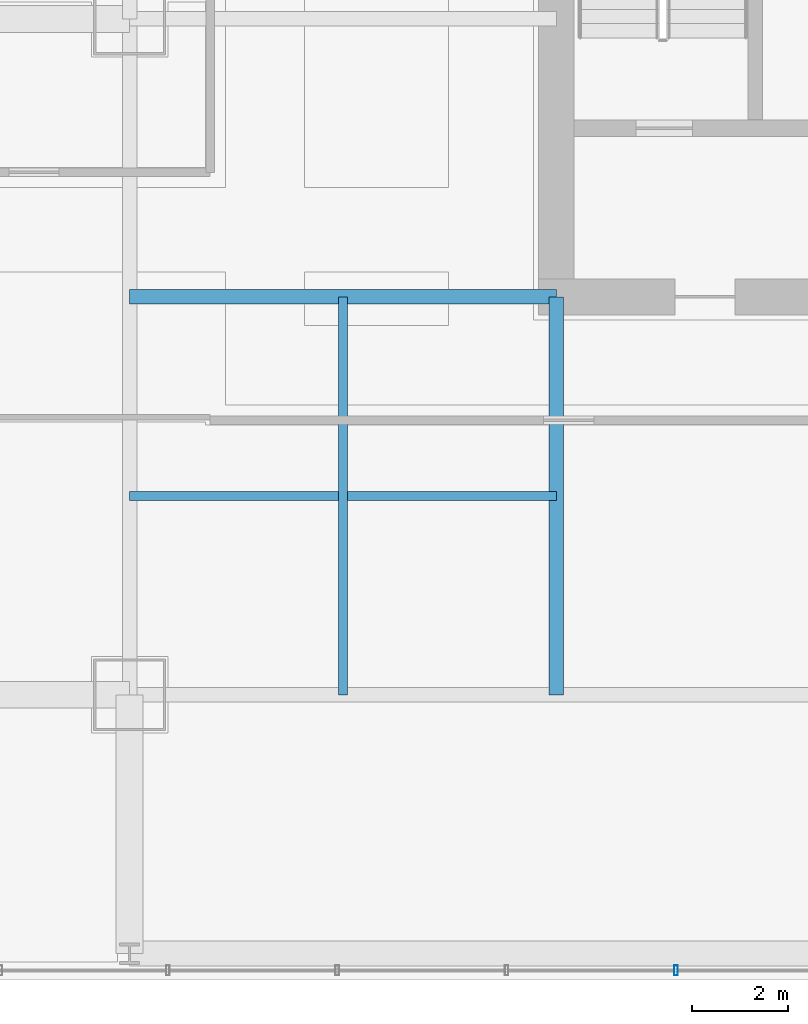
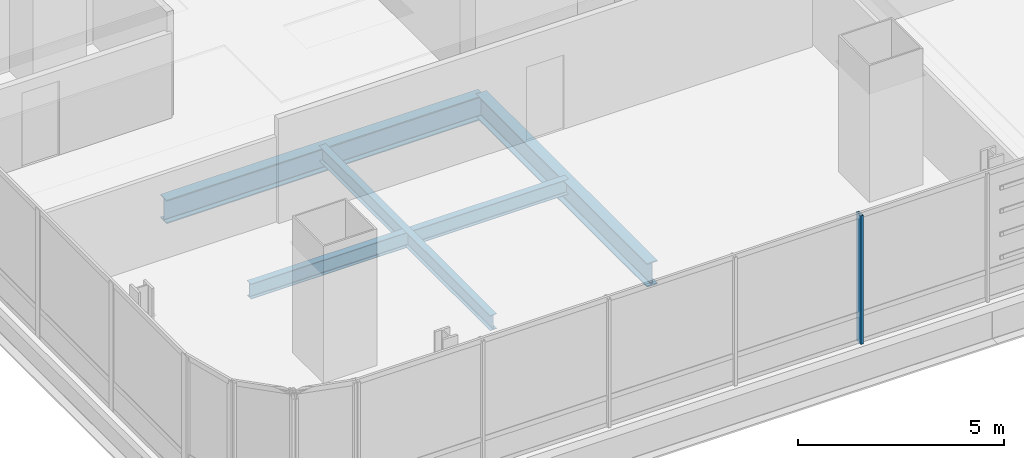
# One storey, part 5 of 36: 4 beams, 1 member, 1 element without a shape of its own.
"""IFC4 building model written with IfcOpenShell, lengths in metres."""

from ifc_helpers import new_model, si_unit, direction, frame, origin, origin_2d, place, context, subcontext, project, spatial, hollow_rectangle, i_section, extrude, material, material_profile, profile_set, type_object, element, aggregate, save


model = new_model("IFC4")

# Units and contexts
model_context = context("Model", 3, precision=1e-05, world=origin(), true_north=direction((0.0, 1.0)))
body_context = subcontext(model_context, "Body", "Model", "MODEL_VIEW")
ifc_project = project(units=[si_unit("LENGTHUNIT", "METRE"), si_unit("AREAUNIT", "SQUARE_METRE"), si_unit("VOLUMEUNIT", "CUBIC_METRE"), si_unit("PLANEANGLEUNIT", "RADIAN"), si_unit("MASSUNIT", "GRAM", prefix="KILO")], contexts=[model_context])

# Site, building, storey
site_placement = place(None, origin())
site = spatial("IfcSite", under=ifc_project, at=site_placement, CompositionType="ELEMENT")
building_placement = place(site_placement, origin())
building = spatial("IfcBuilding", under=site, at=building_placement, Name="Punatoya Terracotta Tower", CompositionType="ELEMENT")
storey_placement = place(building_placement, frame((0.0, 0.0, 40.35009765625)))
storey = spatial("IfcBuildingStorey", under=building, at=storey_placement, Name="L08", CompositionType="ELEMENT", Elevation=40.35009765625)

# Beams
ifc_material_1 = material(Name="Steel S355", Category="steel")
ifc_material_profile_1 = material_profile(ifc_material_1, i_section(OverallWidth=0.300048828125, OverallDepth=0.699951171875, WebThickness=0.01708984375, FlangeThickness=0.031982421875, FilletRadius=0.01806640625, at=origin_2d()))
ifc_profile_set_1 = profile_set([ifc_material_profile_1], Name="Steel S355")
beam_type_1 = type_object("IfcBeamType", Name="BM-PRI-700", PredefinedType="BEAM", material=ifc_profile_set_1)
beam_1_placement = place(storey_placement, frame((-19.10009765625, -9.199951171875, -0.590087890625), z_axis=(1.0, 0.0, 0.0), x_axis=(0.0, 1.0, 0.0)))
element("IfcBeam", 1, at=beam_1_placement, inside=storey, type_object=beam_type_1, Name="BM-L08-PR-WS", PredefinedType="BEAM", context=body_context, shape_type="SweptSolid", body=[
    extrude(i_section(OverallWidth=0.300048828125, OverallDepth=0.699951171875, WebThickness=0.01708984375, FlangeThickness=0.031982421875, FilletRadius=0.01806640625, at=origin_2d()), origin(), (0.0, 0.0, 1.0), 8.900146484375),
])
beam_2_placement = place(storey_placement, frame((-10.199951171875, -17.5, -0.590087890625), z_axis=(0.0, 1.0, 0.0), x_axis=(-1.0, 0.0, 0.0)))
element("IfcBeam", 2, at=beam_2_placement, inside=storey, type_object=beam_type_1, Name="BM-L08-PR-S1", PredefinedType="BEAM", context=body_context, shape_type="SweptSolid", body=[
    extrude(i_section(OverallWidth=0.300048828125, OverallDepth=0.699951171875, WebThickness=0.01708984375, FlangeThickness=0.031982421875, FilletRadius=0.01806640625, at=origin_2d()), origin(), (0.0, 0.0, 1.0), 8.300048828125),
])
ifc_material_profile_2 = material_profile(ifc_material_1, i_section(OverallWidth=0.18994140625, OverallDepth=0.449951171875, WebThickness=0.009521484375, FlangeThickness=0.0146484375, FilletRadius=0.01806640625, at=origin_2d()))
ifc_profile_set_2 = profile_set([ifc_material_profile_2], Name="Steel S355")
beam_type_2 = type_object("IfcBeamType", Name="BM-SEC-450", PredefinedType="JOIST", material=ifc_profile_set_2)
beam_3_placement = place(storey_placement, frame((-19.10009765625, -13.35009765625, -0.465087890625), z_axis=(1.0, 0.0, 0.0), x_axis=(0.0, 1.0, 0.0)))
element("IfcBeam", 3, at=beam_3_placement, inside=storey, type_object=beam_type_2, Name="BM-L08-SJS-1", PredefinedType="JOIST", context=body_context, shape_type="SweptSolid", body=[
    extrude(i_section(OverallWidth=0.18994140625, OverallDepth=0.449951171875, WebThickness=0.009521484375, FlangeThickness=0.0146484375, FilletRadius=0.01806640625, at=origin_2d()), origin(), (0.0, 0.0, 1.0), 8.900146484375),
])
beam_4_placement = place(storey_placement, frame((-14.64990234375, -17.5, -0.465087890625), z_axis=(0.0, 1.0, 0.0), x_axis=(-1.0, 0.0, 0.0)))
element("IfcBeam", 4, at=beam_4_placement, inside=storey, type_object=beam_type_2, Name="BM-L08-SJW-1", PredefinedType="JOIST", context=body_context, shape_type="SweptSolid", body=[
    extrude(i_section(OverallWidth=0.18994140625, OverallDepth=0.449951171875, WebThickness=0.009521484375, FlangeThickness=0.0146484375, FilletRadius=0.01806640625, at=origin_2d()), origin(), (0.0, 0.0, 1.0), 8.300048828125),
])

# Curtain wall, member
ifc_material_2 = material(Name="Aluminium 6063-T6 + Double Low-E Glass", Category="aluminium")
curtain_wall_type = type_object("IfcCurtainWallType", Name="CW-M1", PredefinedType="NOTDEFINED", material=ifc_material_2)
curtain_wall_placement = place(storey_placement, origin())
curtain_wall = element("IfcCurtainWall", 5, at=curtain_wall_placement, inside=storey, type_object=curtain_wall_type, Name="L08 Curtain Wall CW-L08-S01-1", PredefinedType="NOTDEFINED")
ifc_material_3 = material(Name="Aluminium 6063-T6", Category="aluminium")
ifc_material_profile_3 = material_profile(ifc_material_3, hollow_rectangle(XDim=0.074951171875, YDim=0.2099609375, WallThickness=0.00439453125, at=origin_2d()))
ifc_profile_set_3 = profile_set([ifc_material_profile_3], Name="Aluminium 6063-T6")
member_type = type_object("IfcMemberType", Name="CW-MUL-M1", PredefinedType="MULLION", material=ifc_profile_set_3)
member_placement = place(storey_placement, frame((-7.700927734375, -23.25, 0.0), z_axis=(0.0, 0.0, 1.0), x_axis=(1.0, 0.0, 0.0)))
member = element("IfcMember", 6, at=member_placement, type_object=member_type, Name="CW-L08-S01-1 Mullion 04", PredefinedType="MULLION", context=body_context, shape_type="SweptSolid", body=[
    extrude(hollow_rectangle(XDim=0.074951171875, YDim=0.2099609375, WallThickness=0.00439453125, at=origin_2d()), origin(), (0.0, 0.0, 1.0), 3.809814453125),
])
aggregate(curtain_wall, [member])

save(model, "model.ifc")
